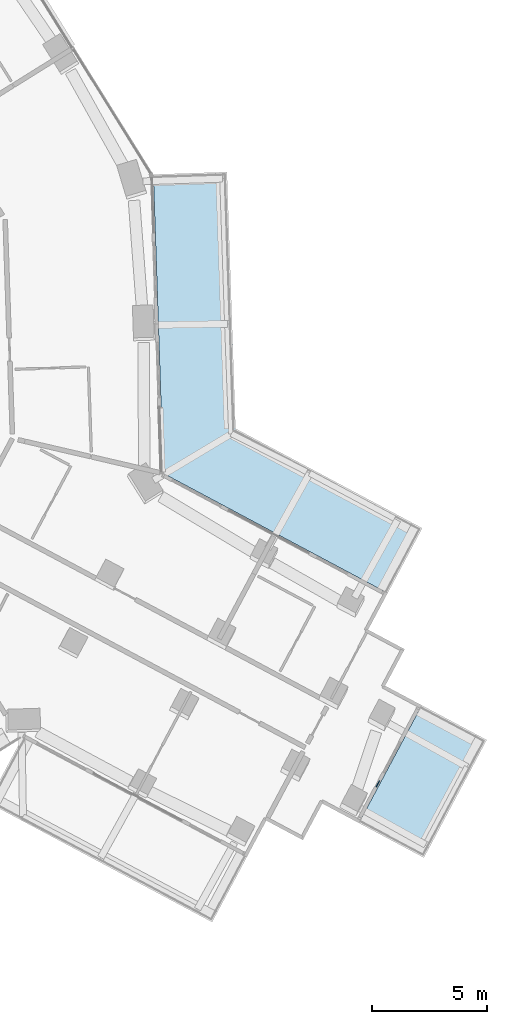
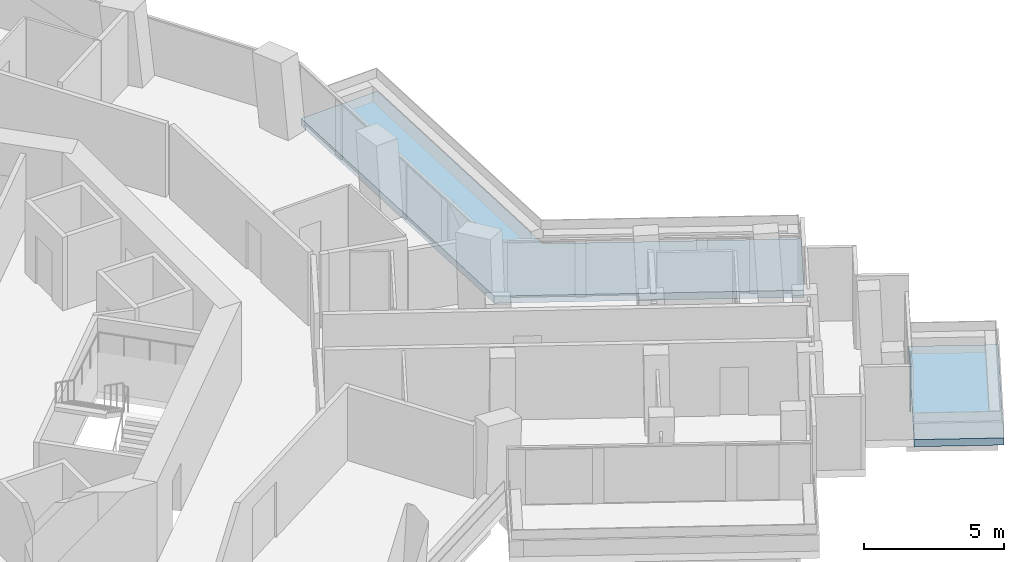
# One storey, part 17 of 27: 2 slabs, 1 plate, 1 element without a shape of its own.
"""IFC4 building model written with IfcOpenShell, lengths in metres."""

from ifc_helpers import new_model, si_unit, direction, frame, origin, origin_2d, place, context, subcontext, project, spatial, polyline, rectangle, outline, extrude, material, layer, layer_set, type_object, element, aggregate, save


model = new_model("IFC4")

# Units and contexts
model_context = context("Model", 3, precision=1e-05, world=origin(), true_north=direction((0.0, 1.0)))
body_context = subcontext(model_context, "Body", "Model", "MODEL_VIEW")
ifc_project = project(units=[si_unit("LENGTHUNIT", "METRE"), si_unit("AREAUNIT", "SQUARE_METRE"), si_unit("VOLUMEUNIT", "CUBIC_METRE"), si_unit("PLANEANGLEUNIT", "RADIAN"), si_unit("MASSUNIT", "GRAM", prefix="KILO")], contexts=[model_context])

# Site, building, storey
site_placement = place(None, origin())
site = spatial("IfcSite", under=ifc_project, at=site_placement, CompositionType="ELEMENT")
building_placement = place(site_placement, origin())
building = spatial("IfcBuilding", under=site, at=building_placement, Name="Verdalira Terraces Hotel", CompositionType="ELEMENT")
storey_placement = place(building_placement, frame((0.0, 0.0, 42.5)))
storey = spatial("IfcBuildingStorey", under=building, at=storey_placement, Name="L08", CompositionType="ELEMENT", Elevation=42.5)

# Slabs
ifc_material_1 = material(Name="Precast concrete C40/50", Category="concrete")
ifc_layer_1 = layer(ifc_material_1, 0.31005859375)
ifc_layer_set_1 = layer_set([ifc_layer_1], Name="Balcony deck 310")
slab_type = type_object("IfcSlabType", Name="Balcony deck 310", PredefinedType="FLOOR", material=ifc_layer_set_1)
slab_1_placement = place(storey_placement, frame((0.0, 0.0, -0.310059)))
element("IfcSlab", 1, at=slab_1_placement, inside=storey, type_object=slab_type, Name="Balcony deck", PredefinedType="FLOOR", context=body_context, shape_type="SweptSolid", body=[
    extrude(outline(polyline([(38.510498, -17.258545), (35.687256, -15.752441), (32.957275, -20.869629), (35.780518, -22.375977), (38.510498, -17.258545)])), origin(), (0.0, 0.0, 1.0), 0.310059),
])
slab_2_placement = place(storey_placement, frame((0.0, 0.0, -0.310059)))
element("IfcSlab", 2, at=slab_2_placement, inside=storey, type_object=slab_type, Name="Balcony deck", PredefinedType="FLOOR", context=body_context, shape_type="SweptSolid", body=[
    extrude(outline(polyline([(27.225098, 7.41626), (24.026855, 7.309082), (24.462402, -5.683594), (34.205566, -10.881592), (35.711914, -8.058105), (27.598877, -3.72998), (27.225098, 7.41626)])), origin(), (0.0, 0.0, 1.0), 0.310059),
])

# Curtain wall, plate
ifc_material_2 = material(Name="Clear glass", Category="glass")
ifc_layer_2 = layer(ifc_material_2, 0.14990234375)
ifc_layer_set_2 = layer_set([ifc_layer_2], Name="CW3 curtain wall")
curtain_wall_type = type_object("IfcCurtainWallType", Name="CW3 curtain wall", PredefinedType="NOTDEFINED", material=ifc_layer_set_2)
curtain_wall_placement = place(storey_placement, origin())
curtain_wall = element("IfcCurtainWall", 3, at=curtain_wall_placement, inside=storey, type_object=curtain_wall_type, Name="CW3 curtain wall L08 edge 33", PredefinedType="NOTDEFINED")
ifc_material_3 = material(Name="Clear glass", Category="glass")
ifc_layer_3 = layer(ifc_material_3, 0.035888671875)
ifc_layer_set_3 = layer_set([ifc_layer_3], Name="CW3 glass unit 36")
plate_type = type_object("IfcPlateType", Name="CW3 glass unit 36", PredefinedType="CURTAIN_PANEL", material=ifc_layer_set_3)
plate_placement = place(storey_placement, frame((33.778809, -19.170166, 0.0), z_axis=(0.0, 0.0, 1.0), x_axis=(0.470703932, 0.882291226, 0.0)))
plate = element("IfcPlate", 4, at=plate_placement, type_object=plate_type, Name="CW3 glass unit", PredefinedType="CURTAIN_PANEL", context=body_context, shape_type="SweptSolid", body=[
    extrude(rectangle(XDim=0.307373, YDim=0.035889, at=origin_2d()), origin(), (0.0, 0.0, 1.0), 2.425049),
])
aggregate(curtain_wall, [plate])

save(model, "model.ifc")
